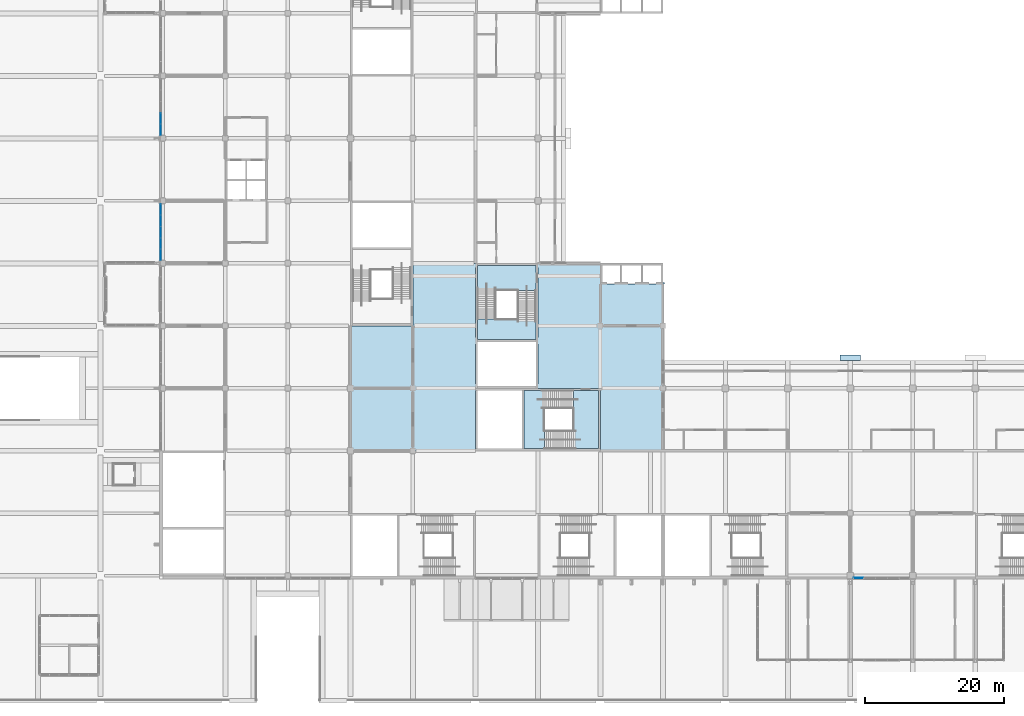
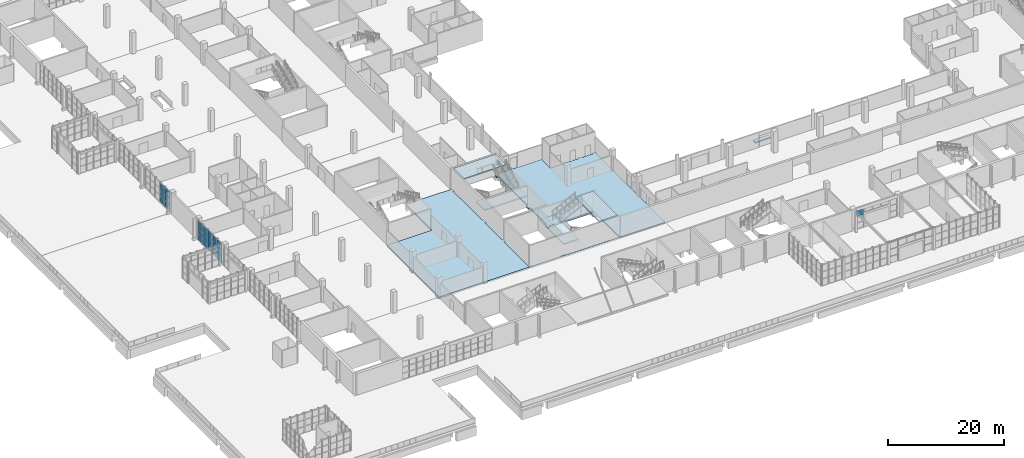
# One storey, part 79 of 168: 22 plates, 6 slabs, 5 elements without a shape of their own.
"""IFC4 building model written with IfcOpenShell, lengths in metres."""

from ifc_helpers import new_model, si_unit, direction, frame, origin, origin_2d, place, context, subcontext, project, spatial, polyline, rectangle, outline, extrude, material, layer, layer_set, type_object, element, aggregate, save


model = new_model("IFC4")

# Units and contexts
model_context = context("Model", 3, precision=1e-05, world=origin(), true_north=direction((0.0, 1.0)))
body_context = subcontext(model_context, "Body", "Model", "MODEL_VIEW")
ifc_project = project(units=[si_unit("LENGTHUNIT", "METRE"), si_unit("AREAUNIT", "SQUARE_METRE"), si_unit("VOLUMEUNIT", "CUBIC_METRE"), si_unit("PLANEANGLEUNIT", "RADIAN"), si_unit("MASSUNIT", "GRAM", prefix="KILO")], contexts=[model_context])

# Site, building, storey
site_placement = place(None, origin())
site = spatial("IfcSite", under=ifc_project, at=site_placement, CompositionType="ELEMENT")
building_placement = place(site_placement, origin())
building = spatial("IfcBuilding", under=site, at=building_placement, Name="Silverbay Arena", CompositionType="ELEMENT")
storey_placement = place(building_placement, frame((0.0, 0.0, 7.0)))
storey = spatial("IfcBuildingStorey", under=building, at=storey_placement, Name="L01", CompositionType="ELEMENT", Elevation=7.0)

# Curtain wall, plate
ifc_material_1 = material(Name="Aluminium framed curtain wall", Category="aluminium")
curtain_wall_type_1 = type_object("IfcCurtainWallType", Name="Curtain wall 1500 x 3900", PredefinedType="NOTDEFINED", material=ifc_material_1)
curtain_wall_1_placement = place(storey_placement, origin())
curtain_wall_1 = element("IfcCurtainWall", 1, at=curtain_wall_1_placement, inside=storey, type_object=curtain_wall_type_1, Name="South curtain wall L01 bay 12", PredefinedType="NOTDEFINED")
ifc_material_2 = material(Name="Laminated glass", Category="glass")
ifc_layer_1 = layer(ifc_material_2, 0.028076171875)
ifc_layer_set_1 = layer_set([ifc_layer_1], Name="Laminated glass")
plate_type = type_object("IfcPlateType", Name="Glass panel 28", PredefinedType="CURTAIN_PANEL", material=ifc_layer_set_1)
plate_1_placement = place(storey_placement, frame((127.199951171875, 17.669921875, 2.625), z_axis=(0.0, 0.0, 1.0), x_axis=(1.0, 0.0, 0.0)))
plate_1 = element("IfcPlate", 2, at=plate_1_placement, type_object=plate_type, Name="CW4 panel 1.3", PredefinedType="CURTAIN_PANEL", context=body_context, shape_type="SweptSolid", body=[
    extrude(rectangle(XDim=1.3798828125, YDim=0.028076171875, at=origin_2d()), origin(), (0.0, 0.0, 1.0), 1.22509765625),
])
aggregate(curtain_wall_1, [plate_1])

# Curtain wall, plates
ifc_material_3 = material(Name="Aluminium framed curtain wall", Category="aluminium")
curtain_wall_type_2 = type_object("IfcCurtainWallType", Name="Curtain wall 8200 x 4150", PredefinedType="NOTDEFINED", material=ifc_material_3)
curtain_wall_2_placement = place(storey_placement, origin())
curtain_wall_2 = element("IfcCurtainWall", 3, at=curtain_wall_2_placement, inside=storey, type_object=curtain_wall_type_2, Name="West curtain wall L01 bay 6", PredefinedType="NOTDEFINED")
plate_2_placement = place(storey_placement, frame((26.669921875, 70.764892578125, 0.0498046875), z_axis=(0.0, 0.0, 1.0), x_axis=(0.0, -1.0, 0.0)))
plate_2 = element("IfcPlate", 4, at=plate_2_placement, type_object=plate_type, Name="CW7 panel 1.1", PredefinedType="CURTAIN_PANEL", context=body_context, shape_type="SweptSolid", body=[
    extrude(rectangle(XDim=1.550048828125, YDim=0.028076171875, at=origin_2d()), origin(), (0.0, 0.0, 1.0), 1.308349609375),
])
plate_3_placement = place(storey_placement, frame((26.669921875, 70.764892578125, 1.408203125), z_axis=(0.0, 0.0, 1.0), x_axis=(0.0, -1.0, 0.0)))
plate_3 = element("IfcPlate", 5, at=plate_3_placement, type_object=plate_type, Name="CW7 panel 1.2", PredefinedType="CURTAIN_PANEL", context=body_context, shape_type="SweptSolid", body=[
    extrude(rectangle(XDim=1.550048828125, YDim=0.028076171875, at=origin_2d()), origin(), (0.0, 0.0, 1.0), 1.333251953125),
])
plate_4_placement = place(storey_placement, frame((26.669921875, 70.764892578125, 2.79150390625), z_axis=(0.0, 0.0, 1.0), x_axis=(0.0, -1.0, 0.0)))
plate_4 = element("IfcPlate", 6, at=plate_4_placement, type_object=plate_type, Name="CW7 panel 1.3", PredefinedType="CURTAIN_PANEL", context=body_context, shape_type="SweptSolid", body=[
    extrude(rectangle(XDim=1.550048828125, YDim=0.028076171875, at=origin_2d()), origin(), (0.0, 0.0, 1.0), 1.308349609375),
])
plate_5_placement = place(storey_placement, frame((26.669921875, 69.139892578125, 0.0498046875), z_axis=(0.0, 0.0, 1.0), x_axis=(0.0, -1.0, 0.0)))
plate_5 = element("IfcPlate", 7, at=plate_5_placement, type_object=plate_type, Name="CW7 panel 2.1", PredefinedType="CURTAIN_PANEL", context=body_context, shape_type="SweptSolid", body=[
    extrude(rectangle(XDim=1.580078125, YDim=0.028076171875, at=origin_2d()), origin(), (0.0, 0.0, 1.0), 1.308349609375),
])
plate_6_placement = place(storey_placement, frame((26.669921875, 69.139892578125, 1.408203125), z_axis=(0.0, 0.0, 1.0), x_axis=(0.0, -1.0, 0.0)))
plate_6 = element("IfcPlate", 8, at=plate_6_placement, type_object=plate_type, Name="CW7 panel 2.2", PredefinedType="CURTAIN_PANEL", context=body_context, shape_type="SweptSolid", body=[
    extrude(rectangle(XDim=1.580078125, YDim=0.028076171875, at=origin_2d()), origin(), (0.0, 0.0, 1.0), 1.333251953125),
])
plate_7_placement = place(storey_placement, frame((26.669921875, 69.139892578125, 2.79150390625), z_axis=(0.0, 0.0, 1.0), x_axis=(0.0, -1.0, 0.0)))
plate_7 = element("IfcPlate", 9, at=plate_7_placement, type_object=plate_type, Name="CW7 panel 2.3", PredefinedType="CURTAIN_PANEL", context=body_context, shape_type="SweptSolid", body=[
    extrude(rectangle(XDim=1.580078125, YDim=0.028076171875, at=origin_2d()), origin(), (0.0, 0.0, 1.0), 1.308349609375),
])
plate_8_placement = place(storey_placement, frame((26.669921875, 67.5, 0.0498046875), z_axis=(0.0, 0.0, 1.0), x_axis=(0.0, -1.0, 0.0)))
plate_8 = element("IfcPlate", 10, at=plate_8_placement, type_object=plate_type, Name="CW7 panel 3.1", PredefinedType="CURTAIN_PANEL", context=body_context, shape_type="SweptSolid", body=[
    extrude(rectangle(XDim=1.580078125, YDim=0.028076171875, at=origin_2d()), origin(), (0.0, 0.0, 1.0), 1.308349609375),
])
plate_9_placement = place(storey_placement, frame((26.669921875, 67.5, 1.408203125), z_axis=(0.0, 0.0, 1.0), x_axis=(0.0, -1.0, 0.0)))
plate_9 = element("IfcPlate", 11, at=plate_9_placement, type_object=plate_type, Name="CW7 panel 3.2", PredefinedType="CURTAIN_PANEL", context=body_context, shape_type="SweptSolid", body=[
    extrude(rectangle(XDim=1.580078125, YDim=0.028076171875, at=origin_2d()), origin(), (0.0, 0.0, 1.0), 1.333251953125),
])
plate_10_placement = place(storey_placement, frame((26.669921875, 67.5, 2.79150390625), z_axis=(0.0, 0.0, 1.0), x_axis=(0.0, -1.0, 0.0)))
plate_10 = element("IfcPlate", 12, at=plate_10_placement, type_object=plate_type, Name="CW7 panel 3.3", PredefinedType="CURTAIN_PANEL", context=body_context, shape_type="SweptSolid", body=[
    extrude(rectangle(XDim=1.580078125, YDim=0.028076171875, at=origin_2d()), origin(), (0.0, 0.0, 1.0), 1.308349609375),
])
plate_11_placement = place(storey_placement, frame((26.669921875, 65.860107421875, 0.0498046875), z_axis=(0.0, 0.0, 1.0), x_axis=(0.0, -1.0, 0.0)))
plate_11 = element("IfcPlate", 13, at=plate_11_placement, type_object=plate_type, Name="CW7 panel 4.1", PredefinedType="CURTAIN_PANEL", context=body_context, shape_type="SweptSolid", body=[
    extrude(rectangle(XDim=1.580078125, YDim=0.028076171875, at=origin_2d()), origin(), (0.0, 0.0, 1.0), 1.308349609375),
])
plate_12_placement = place(storey_placement, frame((26.669921875, 65.860107421875, 1.408203125), z_axis=(0.0, 0.0, 1.0), x_axis=(0.0, -1.0, 0.0)))
plate_12 = element("IfcPlate", 14, at=plate_12_placement, type_object=plate_type, Name="CW7 panel 4.2", PredefinedType="CURTAIN_PANEL", context=body_context, shape_type="SweptSolid", body=[
    extrude(rectangle(XDim=1.580078125, YDim=0.028076171875, at=origin_2d()), origin(), (0.0, 0.0, 1.0), 1.333251953125),
])
plate_13_placement = place(storey_placement, frame((26.669921875, 65.860107421875, 2.79150390625), z_axis=(0.0, 0.0, 1.0), x_axis=(0.0, -1.0, 0.0)))
plate_13 = element("IfcPlate", 15, at=plate_13_placement, type_object=plate_type, Name="CW7 panel 4.3", PredefinedType="CURTAIN_PANEL", context=body_context, shape_type="SweptSolid", body=[
    extrude(rectangle(XDim=1.580078125, YDim=0.028076171875, at=origin_2d()), origin(), (0.0, 0.0, 1.0), 1.308349609375),
])
plate_14_placement = place(storey_placement, frame((26.669921875, 64.235107421875, 0.0498046875), z_axis=(0.0, 0.0, 1.0), x_axis=(0.0, -1.0, 0.0)))
plate_14 = element("IfcPlate", 16, at=plate_14_placement, type_object=plate_type, Name="CW7 panel 5.1", PredefinedType="CURTAIN_PANEL", context=body_context, shape_type="SweptSolid", body=[
    extrude(rectangle(XDim=1.550048828125, YDim=0.028076171875, at=origin_2d()), origin(), (0.0, 0.0, 1.0), 1.308349609375),
])
plate_15_placement = place(storey_placement, frame((26.669921875, 64.235107421875, 1.408203125), z_axis=(0.0, 0.0, 1.0), x_axis=(0.0, -1.0, 0.0)))
plate_15 = element("IfcPlate", 17, at=plate_15_placement, type_object=plate_type, Name="CW7 panel 5.2", PredefinedType="CURTAIN_PANEL", context=body_context, shape_type="SweptSolid", body=[
    extrude(rectangle(XDim=1.550048828125, YDim=0.028076171875, at=origin_2d()), origin(), (0.0, 0.0, 1.0), 1.333251953125),
])
plate_16_placement = place(storey_placement, frame((26.669921875, 64.235107421875, 2.79150390625), z_axis=(0.0, 0.0, 1.0), x_axis=(0.0, -1.0, 0.0)))
plate_16 = element("IfcPlate", 18, at=plate_16_placement, type_object=plate_type, Name="CW7 panel 5.3", PredefinedType="CURTAIN_PANEL", context=body_context, shape_type="SweptSolid", body=[
    extrude(rectangle(XDim=1.550048828125, YDim=0.028076171875, at=origin_2d()), origin(), (0.0, 0.0, 1.0), 1.308349609375),
])
aggregate(curtain_wall_2, [plate_2, plate_3, plate_4, plate_5, plate_6, plate_7, plate_8, plate_9, plate_10, plate_11, plate_12, plate_13, plate_14, plate_15, plate_16])

curtain_wall_3_placement = place(storey_placement, origin())
curtain_wall_3 = element("IfcCurtainWall", 19, at=curtain_wall_3_placement, inside=storey, type_object=curtain_wall_type_2, Name="West curtain wall L01 bay 8", PredefinedType="NOTDEFINED")
plate_17_placement = place(storey_placement, frame((26.669921875, 83.860107421875, 0.0498046875), z_axis=(0.0, 0.0, 1.0), x_axis=(0.0, -1.0, 0.0)))
plate_17 = element("IfcPlate", 20, at=plate_17_placement, type_object=plate_type, Name="CW7 panel 4.1", PredefinedType="CURTAIN_PANEL", context=body_context, shape_type="SweptSolid", body=[
    extrude(rectangle(XDim=1.580078125, YDim=0.028076171875, at=origin_2d()), origin(), (0.0, 0.0, 1.0), 1.308349609375),
])
plate_18_placement = place(storey_placement, frame((26.669921875, 83.860107421875, 1.408203125), z_axis=(0.0, 0.0, 1.0), x_axis=(0.0, -1.0, 0.0)))
plate_18 = element("IfcPlate", 21, at=plate_18_placement, type_object=plate_type, Name="CW7 panel 4.2", PredefinedType="CURTAIN_PANEL", context=body_context, shape_type="SweptSolid", body=[
    extrude(rectangle(XDim=1.580078125, YDim=0.028076171875, at=origin_2d()), origin(), (0.0, 0.0, 1.0), 1.333251953125),
])
plate_19_placement = place(storey_placement, frame((26.669921875, 83.860107421875, 2.79150390625), z_axis=(0.0, 0.0, 1.0), x_axis=(0.0, -1.0, 0.0)))
plate_19 = element("IfcPlate", 22, at=plate_19_placement, type_object=plate_type, Name="CW7 panel 4.3", PredefinedType="CURTAIN_PANEL", context=body_context, shape_type="SweptSolid", body=[
    extrude(rectangle(XDim=1.580078125, YDim=0.028076171875, at=origin_2d()), origin(), (0.0, 0.0, 1.0), 1.308349609375),
])
plate_20_placement = place(storey_placement, frame((26.669921875, 82.235107421875, 0.0498046875), z_axis=(0.0, 0.0, 1.0), x_axis=(0.0, -1.0, 0.0)))
plate_20 = element("IfcPlate", 23, at=plate_20_placement, type_object=plate_type, Name="CW7 panel 5.1", PredefinedType="CURTAIN_PANEL", context=body_context, shape_type="SweptSolid", body=[
    extrude(rectangle(XDim=1.550048828125, YDim=0.028076171875, at=origin_2d()), origin(), (0.0, 0.0, 1.0), 1.308349609375),
])
plate_21_placement = place(storey_placement, frame((26.669921875, 82.235107421875, 1.408203125), z_axis=(0.0, 0.0, 1.0), x_axis=(0.0, -1.0, 0.0)))
plate_21 = element("IfcPlate", 24, at=plate_21_placement, type_object=plate_type, Name="CW7 panel 5.2", PredefinedType="CURTAIN_PANEL", context=body_context, shape_type="SweptSolid", body=[
    extrude(rectangle(XDim=1.550048828125, YDim=0.028076171875, at=origin_2d()), origin(), (0.0, 0.0, 1.0), 1.333251953125),
])
plate_22_placement = place(storey_placement, frame((26.669921875, 82.235107421875, 2.79150390625), z_axis=(0.0, 0.0, 1.0), x_axis=(0.0, -1.0, 0.0)))
plate_22 = element("IfcPlate", 25, at=plate_22_placement, type_object=plate_type, Name="CW7 panel 5.3", PredefinedType="CURTAIN_PANEL", context=body_context, shape_type="SweptSolid", body=[
    extrude(rectangle(XDim=1.550048828125, YDim=0.028076171875, at=origin_2d()), origin(), (0.0, 0.0, 1.0), 1.308349609375),
])
aggregate(curtain_wall_3, [plate_17, plate_18, plate_19, plate_20, plate_21, plate_22])

# Slab
ifc_material_4 = material(Name="Concrete Grade C45", Category="concrete")
ifc_layer_2 = layer(ifc_material_4, 0.35009765625)
ifc_layer_set_2 = layer_set([ifc_layer_2], Name="Concrete Grade C45")
slab_type_1 = type_object("IfcSlabType", Name="RC floor slab 350", PredefinedType="FLOOR", material=ifc_layer_set_2)
slab_1_placement = place(storey_placement, frame((0.0, 0.0, -0.35009765625)))
element("IfcSlab", 26, at=slab_1_placement, inside=storey, type_object=slab_type_1, Name="Floor slab L01 unit 7", PredefinedType="FLOOR", context=body_context, shape_type="SweptSolid", body=[
    extrude(outline(polyline([(78.39990234375, 36.300048828125), (79.300048828125, 36.300048828125), (79.300048828125, 36.0), (90.0, 36.0), (90.0, 45.0), (81.0, 45.0), (81.0, 44.699951171875), (80.699951171875, 44.699951171875), (80.699951171875, 45.60009765625), (81.0, 45.60009765625), (81.0, 51.39990234375), (80.699951171875, 51.39990234375), (80.699951171875, 52.300048828125), (81.0, 52.300048828125), (81.0, 62.39990234375), (80.699951171875, 62.39990234375), (80.699951171875, 63.0), (81.0, 63.0), (81.0, 62.97509765625), (90.0, 62.97509765625), (90.0, 60.0), (92.64990234375, 60.0), (92.64990234375, 60.25), (93.35009765625, 60.25), (93.35009765625, 60.0), (95.64990234375, 60.0), (95.64990234375, 60.25), (96.35009765625, 60.25), (96.35009765625, 60.0), (98.5, 60.0), (98.5, 60.25), (99.25, 60.25), (99.25, 60.0), (99.0, 60.0), (99.0, 35.97509765625), (54.0, 35.97509765625), (54.0, 54.0), (63.0, 54.0), (63.0, 62.97509765625), (72.0, 62.97509765625), (72.0, 63.0), (72.300048828125, 63.0), (72.300048828125, 62.39990234375), (72.0, 62.39990234375), (72.0, 52.300048828125), (72.300048828125, 52.300048828125), (72.300048828125, 51.39990234375), (72.0, 51.39990234375), (72.0, 45.60009765625), (72.300048828125, 45.60009765625), (72.300048828125, 44.699951171875), (72.0, 44.699951171875), (72.0, 36.0), (78.39990234375, 36.0), (78.39990234375, 36.300048828125)])), origin(), (0.0, 0.0, 1.0), 0.35009765625),
])

# Stair, slabs
ifc_material_5 = material(Name="Concrete Grade C45", Category="concrete")
stair_type = type_object("IfcStairType", Name="Stair 2600 wide 32 risers 140.6 x 300", PredefinedType="HALF_TURN_STAIR", material=ifc_material_5)
stair_1_placement = place(storey_placement, origin())
stair_1 = element("IfcStair", 27, at=stair_1_placement, inside=storey, type_object=stair_type, Name="Stair ST-SW1 L01 to L02", PredefinedType="HALF_TURN_STAIR")
ifc_material_6 = material(Name="Concrete Grade C45", Category="concrete")
ifc_layer_3 = layer(ifc_material_6, 0.25)
ifc_layer_set_3 = layer_set([ifc_layer_3], Name="Concrete Grade C45")
slab_type_2 = type_object("IfcSlabType", Name="Stair landing RC 250", PredefinedType="LANDING", material=ifc_layer_set_3)
slab_2_placement = place(storey_placement, frame((0.0, 0.0, 2.0)))
slab_2 = element("IfcSlab", 28, at=slab_2_placement, type_object=slab_type_2, Name="Stair ST-SW1 L01 to L02 landing 1", PredefinedType="LANDING", context=body_context, shape_type="SweptSolid", body=[
    extrude(outline(polyline([(81.953369140625, 44.699951171875), (79.0, 44.699951171875), (79.0, 36.300048828125), (81.953369140625, 36.300048828125), (81.953369140625, 44.699951171875)])), origin(), (0.0, 0.0, 1.0), 0.25),
])
slab_3_placement = place(storey_placement, frame((0.0, 0.0, 4.25)))
slab_3 = element("IfcSlab", 29, at=slab_3_placement, type_object=slab_type_2, Name="Stair ST-SW1 L01 to L02 landing 2", PredefinedType="LANDING", context=body_context, shape_type="SweptSolid", body=[
    extrude(outline(polyline([(89.699951171875, 44.699951171875), (86.10009765625, 44.699951171875), (86.10009765625, 36.300048828125), (89.699951171875, 36.300048828125), (89.699951171875, 44.699951171875)])), origin(), (0.0, 0.0, 1.0), 0.25),
])
aggregate(stair_1, [slab_2, slab_3])

stair_2_placement = place(storey_placement, origin())
stair_2 = element("IfcStair", 30, at=stair_2_placement, inside=storey, type_object=stair_type, Name="Stair ST-SW2 L01 to L02", PredefinedType="HALF_TURN_STAIR")
slab_4_placement = place(storey_placement, frame((0.0, 0.0, 2.0)))
slab_4 = element("IfcSlab", 31, at=slab_4_placement, type_object=slab_type_2, Name="Stair ST-SW2 L01 to L02 landing 1", PredefinedType="LANDING", context=body_context, shape_type="SweptSolid", body=[
    extrude(outline(polyline([(80.699951171875, 54.953369140625), (80.699951171875, 52.0), (72.300048828125, 52.0), (72.300048828125, 54.953369140625), (80.699951171875, 54.953369140625)])), origin(), (0.0, 0.0, 1.0), 0.25),
])
slab_5_placement = place(storey_placement, frame((0.0, 0.0, 4.25)))
slab_5 = element("IfcSlab", 32, at=slab_5_placement, type_object=slab_type_2, Name="Stair ST-SW2 L01 to L02 landing 2", PredefinedType="LANDING", context=body_context, shape_type="SweptSolid", body=[
    extrude(outline(polyline([(80.699951171875, 62.699951171875), (80.699951171875, 59.10009765625), (72.300048828125, 59.10009765625), (72.300048828125, 62.699951171875), (80.699951171875, 62.699951171875)])), origin(), (0.0, 0.0, 1.0), 0.25),
])
aggregate(stair_2, [slab_4, slab_5])

# Slab
ifc_material_7 = material(Name="Concrete Grade C45", Category="concrete")
ifc_layer_4 = layer(ifc_material_7, 0.300048828125)
ifc_layer_set_4 = layer_set([ifc_layer_4], Name="Concrete Grade C45")
slab_type_3 = type_object("IfcSlabType", Name="Vomitory head slab RC 300", PredefinedType="FLOOR", material=ifc_layer_set_4)
slab_6_placement = place(storey_placement, frame((0.0, 0.0, -0.300048828125)))
element("IfcSlab", 33, at=slab_6_placement, inside=storey, type_object=slab_type_3, Name="Vomitory head slab V01", PredefinedType="FLOOR", context=body_context, shape_type="SweptSolid", body=[
    extrude(outline(polyline([(124.5, 49.0), (127.5, 49.0), (127.5, 49.800048828125), (124.5, 49.800048828125), (124.5, 49.0)])), origin(), (0.0, 0.0, 1.0), 0.300048828125),
])

save(model, "model.ifc")
